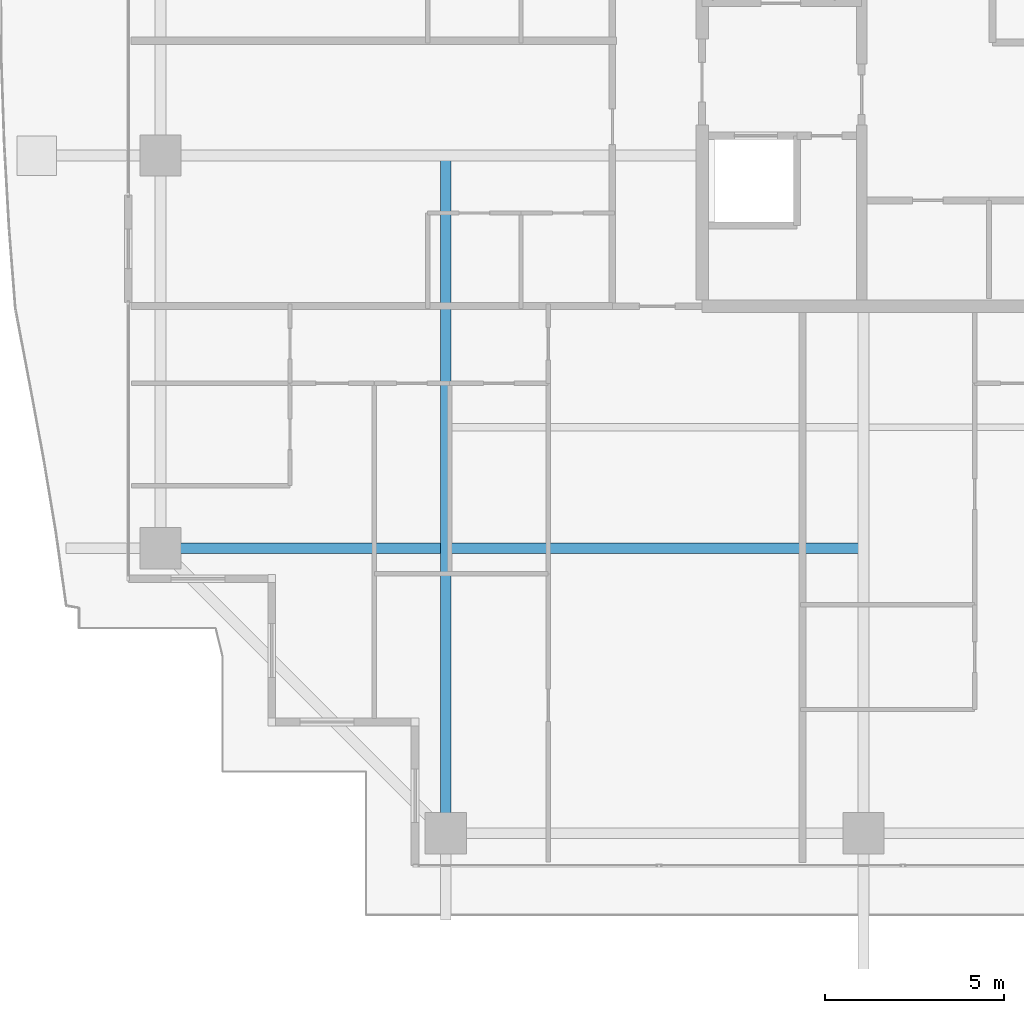
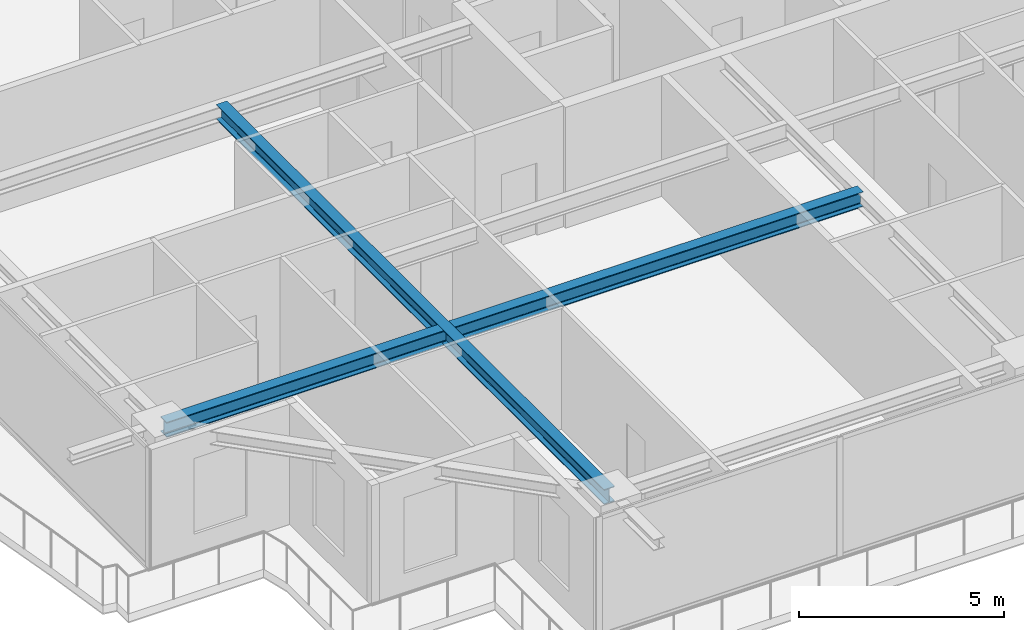
# One storey, part 4 of 39: 2 beams.
"""IFC4 building model written with IfcOpenShell, lengths in metres."""

from ifc_helpers import new_model, si_unit, direction, frame, origin, origin_2d, place, context, subcontext, project, spatial, i_section, extrude, source, transform, mapped, material, material_profile, profile_set, type_object, element, save


model = new_model("IFC4")

# Units and contexts
model_context = context("Model", 3, precision=1e-05, world=origin(), true_north=direction((0.0, 1.0)))
body_context = subcontext(model_context, "Body", "Model", "MODEL_VIEW")
ifc_project = project(units=[si_unit("LENGTHUNIT", "METRE"), si_unit("AREAUNIT", "SQUARE_METRE"), si_unit("VOLUMEUNIT", "CUBIC_METRE"), si_unit("PLANEANGLEUNIT", "RADIAN"), si_unit("MASSUNIT", "GRAM", prefix="KILO")], contexts=[model_context])

# Site, building, storey
site_placement = place(None, origin())
site = spatial("IfcSite", under=ifc_project, at=site_placement, CompositionType="ELEMENT")
building_placement = place(site_placement, origin())
building = spatial("IfcBuilding", under=site, at=building_placement, Name="Serunith Strait Residences", CompositionType="ELEMENT")
storey_placement = place(building_placement, frame((0.0, 0.0, 222.0)))
storey = spatial("IfcBuildingStorey", under=building, at=storey_placement, Name="L55", CompositionType="ELEMENT", Elevation=222.0)

# Beams
ifc_material = material(Name="Steel S355J2", Category="steel")
ifc_material_profile = material_profile(ifc_material, i_section(OverallWidth=0.300048828125, OverallDepth=0.449951171875, WebThickness=0.013916015625, FlangeThickness=0.02587890625, FilletRadius=0.027099609375, at=origin_2d()), Name="HEB 450")
ifc_profile_set = profile_set([ifc_material_profile], Name="Steel S355J2")
beam_type = type_object("IfcBeamType", Name="BM-HEB450", PredefinedType="BEAM", material=ifc_profile_set)
shared_shape_1 = source(origin(), body_context, "Body", "SweptSolid", [
    extrude(i_section(OverallWidth=0.300048828125, OverallDepth=0.449951171875, WebThickness=0.013916015625, FlangeThickness=0.02587890625, FilletRadius=0.027099609375, at=origin_2d()), origin(), (0.0, 0.0, 1.0), 18.89990234375),
])
beam_1_placement = place(storey_placement, frame((16.25, 21.0, 3.362060546875), z_axis=(0.0, -1.0, 0.0), x_axis=(1.0, 0.0, 0.0)))
element("IfcBeam", 1, at=beam_1_placement, inside=storey, type_object=beam_type, Name="L55 Orthogonal Corner Girder TC-S1", PredefinedType="BEAM", context=body_context, shape_type="MappedRepresentation", body=[
    mapped(shared_shape_1, transform((0.0, 0.0, 0.0), scale=1.0)),
])
shared_shape_2 = source(origin(), body_context, "Body", "SweptSolid", [
    extrude(i_section(OverallWidth=0.300048828125, OverallDepth=0.449951171875, WebThickness=0.013916015625, FlangeThickness=0.02587890625, FilletRadius=0.027099609375, at=origin_2d()), origin(), (0.0, 0.0, 1.0), 19.599853515625),
])
beam_2_placement = place(storey_placement, frame((27.89990234375, 10.050048828125, 3.362060546875), z_axis=(-1.0, 0.0, 0.0), x_axis=(0.0, -1.0, 0.0)))
element("IfcBeam", 2, at=beam_2_placement, inside=storey, type_object=beam_type, Name="L55 Orthogonal Corner Girder TC-W1", PredefinedType="BEAM", context=body_context, shape_type="MappedRepresentation", body=[
    mapped(shared_shape_2, transform((0.0, 0.0, 0.0), scale=1.0)),
])

save(model, "model.ifc")
